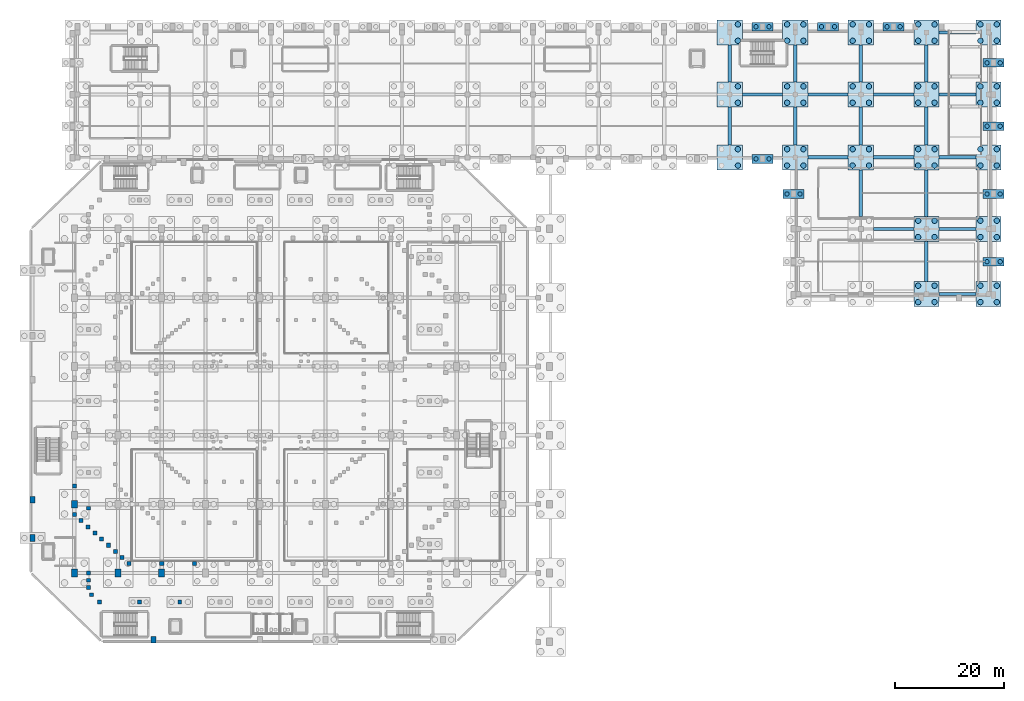
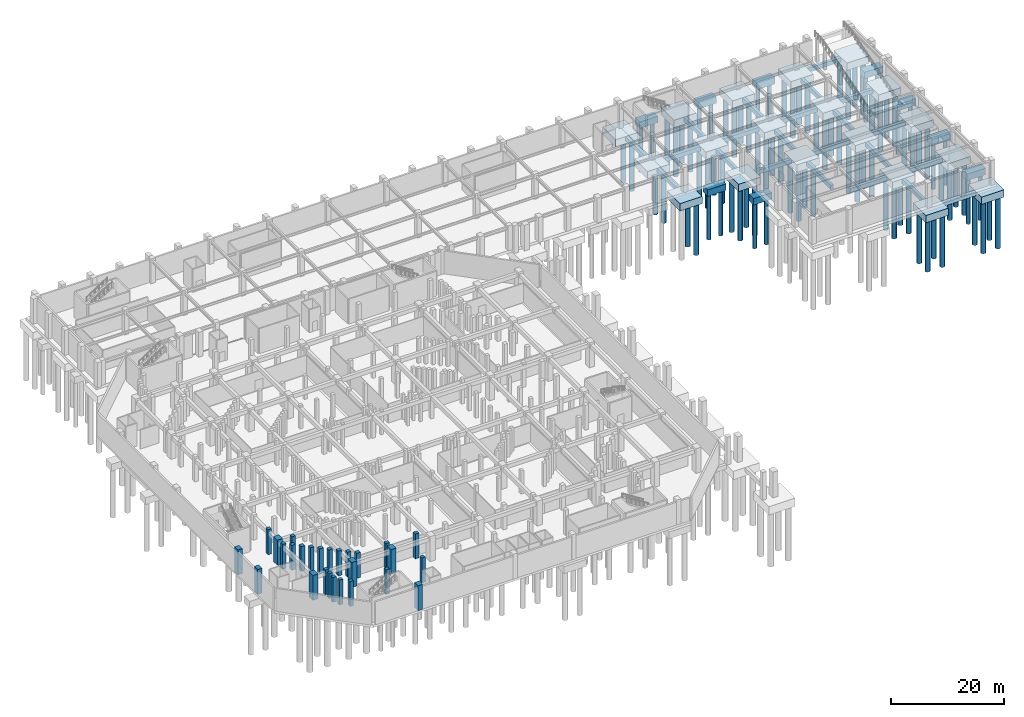
# One storey, part 5 of 27: 88 piles, 50 footings, 27 columns.
"""IFC4 building model written with IfcOpenShell, lengths in metres."""

from ifc_helpers import new_model, si_unit, derived_unit, direction, frame, origin, origin_2d, place, context, subcontext, project, spatial, rectangle, circle, extrude, material, layer, layer_set, material_profile, profile_set, type_object, element, save


model = new_model("IFC4")

# Units and contexts
model_context = context("Model", 3, precision=1e-05, world=origin(), true_north=direction((0.0, 1.0)))
body_context = subcontext(model_context, "Body", "Model", "MODEL_VIEW")
ifc_project = project(units=[si_unit("LENGTHUNIT", "METRE"), si_unit("AREAUNIT", "SQUARE_METRE"), si_unit("VOLUMEUNIT", "CUBIC_METRE"), si_unit("PLANEANGLEUNIT", "RADIAN"), si_unit("MASSUNIT", "GRAM", prefix="KILO"), derived_unit("THERMALTRANSMITTANCEUNIT", [(si_unit("MASSUNIT", "GRAM", prefix="KILO"), 1), (si_unit("TIMEUNIT", "SECOND"), -3), (si_unit("THERMODYNAMICTEMPERATUREUNIT", "KELVIN"), -1)])], contexts=[model_context])

# Site, building, storey
site_placement = place(None, origin())
site = spatial("IfcSite", under=ifc_project, at=site_placement, CompositionType="ELEMENT")
building_placement = place(site_placement, origin())
building = spatial("IfcBuilding", under=site, at=building_placement, Name="Valcora Ridge Arena", CompositionType="ELEMENT")
storey_placement = place(building_placement, frame((0.0, 0.0, -5.39990234375)))
storey = spatial("IfcBuildingStorey", under=building, at=storey_placement, Name="B1", CompositionType="ELEMENT", Elevation=-5.39990234375)

# Footings
ifc_material_1 = material(Name="Concrete C40/50", Category="concrete")
ifc_layer_1 = layer(ifc_material_1, 1.39990234375, Name="Concrete C40/50")
ifc_layer_set_1 = layer_set([ifc_layer_1], Name="Concrete C40/50")
footing_type_1 = type_object("IfcFootingType", Name="TY-FOOTING-PC-2P800", PredefinedType="PILE_CAP", material=ifc_layer_set_1)
for number, where, z_axis, x_axis, name in (
    (1, (150.0, 132.6201171875, -2.0), (0.0, 0.0, 1.0), (1.0, 0.0, 0.0), "PC-2P800 FND-PC-0227"),
    (2, (162.0, 132.6201171875, -2.0), (0.0, 0.0, 1.0), (1.0, 0.0, 0.0), "PC-2P800 FND-PC-0228"),
    (3, (174.0, 132.6201171875, -2.0), (0.0, 0.0, 1.0), (1.0, 0.0, 0.0), "PC-2P800 FND-PC-0229"),
    (4, (192.320068359375, 89.60009765625, -2.0), (0.0, 0.0, 1.0), (1.0, 0.0, 0.0), "PC-2P800 FND-PC-0230"),
    (5, (192.320068359375, 102.0, -2.0), (0.0, 0.0, 1.0), (1.0, 0.0, 0.0), "PC-2P800 FND-PC-0231"),
    (6, (192.320068359375, 114.39990234375, -2.0), (0.0, 0.0, 1.0), (1.0, 0.0, 0.0), "PC-2P800 FND-PC-0232"),
    (7, (192.320068359375, 126.0, -2.0), (0.0, 0.0, 1.0), (1.0, 0.0, 0.0), "PC-2P800 FND-PC-0233"),
    (8, (155.679931640625, 102.0, -2.0), (0.0, 0.0, 1.0), (1.0, 0.0, 0.0), "PC-2P800 FND-PC-0237"),
    (9, (150.0, 108.419921875, -2.0), (0.0, 0.0, 1.0), (1.0, 0.0, 0.0), "PC-2P800 FND-PC-0242"),
):
    element("IfcFooting", number, at=place(storey_placement, frame(where, z_axis=z_axis, x_axis=x_axis)), inside=storey, type_object=footing_type_1, Name=name, PredefinedType="PILE_CAP", context=body_context, shape_type="SweptSolid", body=[
        extrude(rectangle(XDim=3.800048828125, YDim=1.60009765625, at=origin_2d()), origin(), (0.0, 0.0, 1.0), 1.39990234375),
    ])
ifc_layer_2 = layer(ifc_material_1, 1.60009765625, Name="Concrete C40/50")
ifc_layer_set_2 = layer_set([ifc_layer_2], Name="Concrete C40/50")
footing_type_2 = type_object("IfcFootingType", Name="TY-FOOTING-PC-4P1000", PredefinedType="PILE_CAP", material=ifc_layer_set_2)
for number, where, z_axis, x_axis, name in (
    (10, (144.0, 108.699951171875, -2.2001953125), (0.0, 0.0, 1.0), (1.0, 0.0, 0.0), "PC-4P1000 FND-PC-0092"),
    (11, (144.0, 120.199951171875, -2.2001953125), (0.0, 0.0, 1.0), (1.0, 0.0, 0.0), "PC-4P1000 FND-PC-0093"),
    (12, (144.0, 131.550048828125, -2.2001953125), (0.0, 0.0, 1.0), (1.0, 0.0, 0.0), "PC-4P1000 FND-PC-0094"),
    (13, (156.0, 108.699951171875, -2.2001953125), (0.0, 0.0, 1.0), (1.0, 0.0, 0.0), "PC-4P1000 FND-PC-0095"),
    (14, (156.0, 120.199951171875, -2.2001953125), (0.0, 0.0, 1.0), (1.0, 0.0, 0.0), "PC-4P1000 FND-PC-0096"),
    (15, (156.0, 131.550048828125, -2.2001953125), (0.0, 0.0, 1.0), (1.0, 0.0, 0.0), "PC-4P1000 FND-PC-0097"),
    (16, (168.0, 108.699951171875, -2.2001953125), (0.0, 0.0, 1.0), (1.0, 0.0, 0.0), "PC-4P1000 FND-PC-0098"),
    (17, (168.0, 120.199951171875, -2.2001953125), (0.0, 0.0, 1.0), (1.0, 0.0, 0.0), "PC-4P1000 FND-PC-0099"),
    (18, (168.0, 131.550048828125, -2.2001953125), (0.0, 0.0, 1.0), (1.0, 0.0, 0.0), "PC-4P1000 FND-PC-0100"),
    (19, (180.0, 108.699951171875, -2.2001953125), (0.0, 0.0, 1.0), (1.0, 0.0, 0.0), "PC-4P1000 FND-PC-0101"),
    (20, (180.0, 120.199951171875, -2.2001953125), (0.0, 0.0, 1.0), (1.0, 0.0, 0.0), "PC-4P1000 FND-PC-0102"),
    (21, (180.0, 131.550048828125, -2.2001953125), (0.0, 0.0, 1.0), (1.0, 0.0, 0.0), "PC-4P1000 FND-PC-0103"),
    (22, (191.39990234375, 108.699951171875, -2.2001953125), (0.0, 0.0, 1.0), (1.0, 0.0, 0.0), "PC-4P1000 FND-PC-0104"),
    (23, (191.39990234375, 120.199951171875, -2.2001953125), (0.0, 0.0, 1.0), (1.0, 0.0, 0.0), "PC-4P1000 FND-PC-0105"),
    (24, (191.39990234375, 131.550048828125, -2.2001953125), (0.0, 0.0, 1.0), (1.0, 0.0, 0.0), "PC-4P1000 FND-PC-0106"),
    (25, (180.0, 83.699951171875, -2.2001953125), (0.0, 0.0, 1.0), (1.0, 0.0, 0.0), "PC-4P1000 FND-PC-0111"),
    (26, (180.0, 95.60009765625, -2.2001953125), (0.0, 0.0, 1.0), (1.0, 0.0, 0.0), "PC-4P1000 FND-PC-0112"),
    (27, (191.39990234375, 83.699951171875, -2.2001953125), (0.0, 0.0, 1.0), (1.0, 0.0, 0.0), "PC-4P1000 FND-PC-0113"),
    (28, (191.39990234375, 95.60009765625, -2.2001953125), (0.0, 0.0, 1.0), (1.0, 0.0, 0.0), "PC-4P1000 FND-PC-0114"),
):
    element("IfcFooting", number, at=place(storey_placement, frame(where, z_axis=z_axis, x_axis=x_axis)), inside=storey, type_object=footing_type_2, Name=name, PredefinedType="PILE_CAP", context=body_context, shape_type="SweptSolid", body=[
        extrude(rectangle(XDim=4.60009765625, YDim=4.60009765625, at=origin_2d()), origin(), (0.0, 0.0, 1.0), 1.60009765625),
    ])
ifc_layer_3 = layer(ifc_material_1, 0.89990234375, Name="Concrete C40/50")
ifc_layer_set_3 = layer_set([ifc_layer_3], Name="Concrete C40/50")
footing_type_3 = type_object("IfcFootingType", Name="TY-FOOTING-TBX-068", PredefinedType="FOOTING_BEAM", material=ifc_layer_set_3)
for number, where, z_axis, x_axis, name in (
    (29, (185.699951171875, 95.60009765625, -1.5), (0.0, 0.0, 1.0), (1.0, 0.0, 0.0), "TBX-068 FND-TB-0057"),
    (30, (185.699951171875, 108.699951171875, -1.5), (0.0, 0.0, 1.0), (1.0, 0.0, 0.0), "TBX-068 FND-TB-0065"),
    (31, (185.699951171875, 120.199951171875, -1.5), (0.0, 0.0, 1.0), (1.0, 0.0, 0.0), "TBX-068 FND-TB-0079"),
    (32, (185.699951171875, 131.550048828125, -1.5), (0.0, 0.0, 1.0), (1.0, 0.0, 0.0), "TBX-068 FND-TB-0081"),
    (33, (185.699951171875, 83.699951171875, -1.5), (0.0, 0.0, 1.0), (1.0, 0.0, 0.0), "TBX-068 FND-TB-0084"),
):
    element("IfcFooting", number, at=place(storey_placement, frame(where, z_axis=z_axis, x_axis=x_axis)), inside=storey, type_object=footing_type_3, Name=name, PredefinedType="FOOTING_BEAM", context=body_context, shape_type="SweptSolid", body=[
        extrude(rectangle(XDim=6.798095703125, YDim=0.60009765625, at=origin_2d()), origin(), (0.0, 0.0, 1.0), 0.89990234375),
    ])
ifc_layer_4 = layer(ifc_material_1, 0.89990234375, Name="Concrete C40/50")
ifc_layer_set_4 = layer_set([ifc_layer_4], Name="Concrete C40/50")
footing_type_4 = type_object("IfcFootingType", Name="TY-FOOTING-TBX-074", PredefinedType="FOOTING_BEAM", material=ifc_layer_set_4)
for number, where, z_axis, x_axis, name in (
    (34, (174.0, 95.60009765625, -1.5), (0.0, 0.0, 1.0), (1.0, 0.0, 0.0), "TBX-074 FND-TB-0056"),
    (35, (162.0, 108.699951171875, -1.5), (0.0, 0.0, 1.0), (1.0, 0.0, 0.0), "TBX-074 FND-TB-0063"),
    (36, (174.0, 108.699951171875, -1.5), (0.0, 0.0, 1.0), (1.0, 0.0, 0.0), "TBX-074 FND-TB-0064"),
    (37, (150.0, 120.199951171875, -1.5), (0.0, 0.0, 1.0), (1.0, 0.0, 0.0), "TBX-074 FND-TB-0076"),
    (38, (162.0, 120.199951171875, -1.5), (0.0, 0.0, 1.0), (1.0, 0.0, 0.0), "TBX-074 FND-TB-0077"),
    (39, (174.0, 120.199951171875, -1.5), (0.0, 0.0, 1.0), (1.0, 0.0, 0.0), "TBX-074 FND-TB-0078"),
):
    element("IfcFooting", number, at=place(storey_placement, frame(where, z_axis=z_axis, x_axis=x_axis)), inside=storey, type_object=footing_type_4, Name=name, PredefinedType="FOOTING_BEAM", context=body_context, shape_type="SweptSolid", body=[
        extrude(rectangle(XDim=7.39794921875, YDim=0.60009765625, at=origin_2d()), origin(), (0.0, 0.0, 1.0), 0.89990234375),
    ])
ifc_layer_5 = layer(ifc_material_1, 0.89990234375, Name="Concrete C40/50")
ifc_layer_set_5 = layer_set([ifc_layer_5], Name="Concrete C40/50")
footing_type_5 = type_object("IfcFootingType", Name="TY-FOOTING-TBY-067", PredefinedType="FOOTING_BEAM", material=ifc_layer_set_5)
for number, where, z_axis, x_axis, name in (
    (40, (144.0, 125.875, -1.5), (0.0, 0.0, 1.0), (1.0, 0.0, 0.0), "TBY-067 FND-TB-0156"),
    (41, (156.0, 125.875, -1.5), (0.0, 0.0, 1.0), (1.0, 0.0, 0.0), "TBY-067 FND-TB-0158"),
    (42, (168.0, 125.875, -1.5), (0.0, 0.0, 1.0), (1.0, 0.0, 0.0), "TBY-067 FND-TB-0162"),
    (43, (180.0, 125.875, -1.5), (0.0, 0.0, 1.0), (1.0, 0.0, 0.0), "TBY-067 FND-TB-0166"),
):
    element("IfcFooting", number, at=place(storey_placement, frame(where, z_axis=z_axis, x_axis=x_axis)), inside=storey, type_object=footing_type_5, Name=name, PredefinedType="FOOTING_BEAM", context=body_context, shape_type="SweptSolid", body=[
        extrude(rectangle(XDim=0.60009765625, YDim=6.748046875, at=origin_2d()), origin(), (0.0, 0.0, 1.0), 0.89990234375),
    ])
ifc_layer_6 = layer(ifc_material_1, 0.89990234375, Name="Concrete C40/50")
ifc_layer_set_6 = layer_set([ifc_layer_6], Name="Concrete C40/50")
footing_type_6 = type_object("IfcFootingType", Name="TY-FOOTING-TBY-069", PredefinedType="FOOTING_BEAM", material=ifc_layer_set_6)
for number, where, z_axis, x_axis, name in (
    (44, (144.0, 114.449951171875, -1.5), (0.0, 0.0, 1.0), (1.0, 0.0, 0.0), "TBY-069 FND-TB-0155"),
    (45, (156.0, 114.449951171875, -1.5), (0.0, 0.0, 1.0), (1.0, 0.0, 0.0), "TBY-069 FND-TB-0157"),
    (46, (168.0, 114.449951171875, -1.5), (0.0, 0.0, 1.0), (1.0, 0.0, 0.0), "TBY-069 FND-TB-0161"),
    (47, (180.0, 114.449951171875, -1.5), (0.0, 0.0, 1.0), (1.0, 0.0, 0.0), "TBY-069 FND-TB-0165"),
):
    element("IfcFooting", number, at=place(storey_placement, frame(where, z_axis=z_axis, x_axis=x_axis)), inside=storey, type_object=footing_type_6, Name=name, PredefinedType="FOOTING_BEAM", context=body_context, shape_type="SweptSolid", body=[
        extrude(rectangle(XDim=0.60009765625, YDim=6.89794921875, at=origin_2d()), origin(), (0.0, 0.0, 1.0), 0.89990234375),
    ])
ifc_layer_7 = layer(ifc_material_1, 0.89990234375, Name="Concrete C40/50")
ifc_layer_set_7 = layer_set([ifc_layer_7], Name="Concrete C40/50")
footing_type_7 = type_object("IfcFootingType", Name="TY-FOOTING-TBY-073", PredefinedType="FOOTING_BEAM", material=ifc_layer_set_7)
footing_placement = place(storey_placement, frame((180.0, 89.64990234375, -1.5), z_axis=(0.0, 0.0, 1.0), x_axis=(1.0, 0.0, 0.0)))
element("IfcFooting", 48, at=footing_placement, inside=storey, type_object=footing_type_7, Name="TBY-073 FND-TB-0163", PredefinedType="FOOTING_BEAM", context=body_context, shape_type="SweptSolid", body=[
    extrude(rectangle(XDim=0.60009765625, YDim=7.298095703125, at=origin_2d()), origin(), (0.0, 0.0, 1.0), 0.89990234375),
])
ifc_layer_8 = layer(ifc_material_1, 0.89990234375, Name="Concrete C40/50")
ifc_layer_set_8 = layer_set([ifc_layer_8], Name="Concrete C40/50")
footing_type_8 = type_object("IfcFootingType", Name="TY-FOOTING-TBY-085", PredefinedType="FOOTING_BEAM", material=ifc_layer_set_8)
for number, where, z_axis, x_axis, name in (
    (49, (168.0, 102.14990234375, -1.5), (0.0, 0.0, 1.0), (1.0, 0.0, 0.0), "TBY-085 FND-TB-0160"),
    (50, (180.0, 102.14990234375, -1.5), (0.0, 0.0, 1.0), (1.0, 0.0, 0.0), "TBY-085 FND-TB-0164"),
):
    element("IfcFooting", number, at=place(storey_placement, frame(where, z_axis=z_axis, x_axis=x_axis)), inside=storey, type_object=footing_type_8, Name=name, PredefinedType="FOOTING_BEAM", context=body_context, shape_type="SweptSolid", body=[
        extrude(rectangle(XDim=0.60009765625, YDim=8.498046875, at=origin_2d()), origin(), (0.0, 0.0, 1.0), 0.89990234375),
    ])

# Piles
ifc_material_2 = material(Name="Concrete C35/45", Category="concrete")
ifc_material_profile_1 = material_profile(ifc_material_2, circle(Radius=0.5, at=origin_2d()), Name="BORED PILE D1000")
ifc_profile_set_1 = profile_set([ifc_material_profile_1], Name="Concrete C35/45")
pile_type_1 = type_object("IfcPileType", Name="TY-PILE-P-1000A", PredefinedType="BORED", material=ifc_profile_set_1)
for number, where, z_axis, x_axis, name in (
    (51, (145.5, 107.199951171875, -2.10009765625), (0.0, 0.0, -1.0), (1.0, 0.0, 0.0), "P-1000A FND-PL-P-1000A-0182"),
    (52, (145.5, 110.199951171875, -2.10009765625), (0.0, 0.0, -1.0), (1.0, 0.0, 0.0), "P-1000A FND-PL-P-1000A-0184"),
    (53, (145.5, 118.699951171875, -2.10009765625), (0.0, 0.0, -1.0), (1.0, 0.0, 0.0), "P-1000A FND-PL-P-1000A-0186"),
    (54, (145.5, 121.699951171875, -2.10009765625), (0.0, 0.0, -1.0), (1.0, 0.0, 0.0), "P-1000A FND-PL-P-1000A-0188"),
    (55, (145.5, 130.050048828125, -2.10009765625), (0.0, 0.0, -1.0), (1.0, 0.0, 0.0), "P-1000A FND-PL-P-1000A-0190"),
    (56, (145.5, 133.050048828125, -2.10009765625), (0.0, 0.0, -1.0), (1.0, 0.0, 0.0), "P-1000A FND-PL-P-1000A-0192"),
    (57, (154.5, 107.199951171875, -2.10009765625), (0.0, 0.0, -1.0), (1.0, 0.0, 0.0), "P-1000A FND-PL-P-1000A-0193"),
    (58, (157.5, 107.199951171875, -2.10009765625), (0.0, 0.0, -1.0), (1.0, 0.0, 0.0), "P-1000A FND-PL-P-1000A-0194"),
    (59, (154.5, 110.199951171875, -2.10009765625), (0.0, 0.0, -1.0), (1.0, 0.0, 0.0), "P-1000A FND-PL-P-1000A-0195"),
    (60, (157.5, 110.199951171875, -2.10009765625), (0.0, 0.0, -1.0), (1.0, 0.0, 0.0), "P-1000A FND-PL-P-1000A-0196"),
    (61, (154.5, 118.699951171875, -2.10009765625), (0.0, 0.0, -1.0), (1.0, 0.0, 0.0), "P-1000A FND-PL-P-1000A-0197"),
    (62, (157.5, 118.699951171875, -2.10009765625), (0.0, 0.0, -1.0), (1.0, 0.0, 0.0), "P-1000A FND-PL-P-1000A-0198"),
    (63, (154.5, 121.699951171875, -2.10009765625), (0.0, 0.0, -1.0), (1.0, 0.0, 0.0), "P-1000A FND-PL-P-1000A-0199"),
    (64, (157.5, 121.699951171875, -2.10009765625), (0.0, 0.0, -1.0), (1.0, 0.0, 0.0), "P-1000A FND-PL-P-1000A-0200"),
    (65, (154.5, 130.050048828125, -2.10009765625), (0.0, 0.0, -1.0), (1.0, 0.0, 0.0), "P-1000A FND-PL-P-1000A-0201"),
    (66, (157.5, 130.050048828125, -2.10009765625), (0.0, 0.0, -1.0), (1.0, 0.0, 0.0), "P-1000A FND-PL-P-1000A-0202"),
    (67, (154.5, 133.050048828125, -2.10009765625), (0.0, 0.0, -1.0), (1.0, 0.0, 0.0), "P-1000A FND-PL-P-1000A-0203"),
    (68, (157.5, 133.050048828125, -2.10009765625), (0.0, 0.0, -1.0), (1.0, 0.0, 0.0), "P-1000A FND-PL-P-1000A-0204"),
    (69, (166.5, 107.199951171875, -2.10009765625), (0.0, 0.0, -1.0), (1.0, 0.0, 0.0), "P-1000A FND-PL-P-1000A-0205"),
    (70, (169.5, 107.199951171875, -2.10009765625), (0.0, 0.0, -1.0), (1.0, 0.0, 0.0), "P-1000A FND-PL-P-1000A-0206"),
    (71, (166.5, 110.199951171875, -2.10009765625), (0.0, 0.0, -1.0), (1.0, 0.0, 0.0), "P-1000A FND-PL-P-1000A-0207"),
    (72, (169.5, 110.199951171875, -2.10009765625), (0.0, 0.0, -1.0), (1.0, 0.0, 0.0), "P-1000A FND-PL-P-1000A-0208"),
    (73, (166.5, 118.699951171875, -2.10009765625), (0.0, 0.0, -1.0), (1.0, 0.0, 0.0), "P-1000A FND-PL-P-1000A-0209"),
    (74, (169.5, 118.699951171875, -2.10009765625), (0.0, 0.0, -1.0), (1.0, 0.0, 0.0), "P-1000A FND-PL-P-1000A-0210"),
    (75, (166.5, 121.699951171875, -2.10009765625), (0.0, 0.0, -1.0), (1.0, 0.0, 0.0), "P-1000A FND-PL-P-1000A-0211"),
    (76, (169.5, 121.699951171875, -2.10009765625), (0.0, 0.0, -1.0), (1.0, 0.0, 0.0), "P-1000A FND-PL-P-1000A-0212"),
    (77, (166.5, 130.050048828125, -2.10009765625), (0.0, 0.0, -1.0), (1.0, 0.0, 0.0), "P-1000A FND-PL-P-1000A-0213"),
    (78, (169.5, 130.050048828125, -2.10009765625), (0.0, 0.0, -1.0), (1.0, 0.0, 0.0), "P-1000A FND-PL-P-1000A-0214"),
    (79, (166.5, 133.050048828125, -2.10009765625), (0.0, 0.0, -1.0), (1.0, 0.0, 0.0), "P-1000A FND-PL-P-1000A-0215"),
    (80, (169.5, 133.050048828125, -2.10009765625), (0.0, 0.0, -1.0), (1.0, 0.0, 0.0), "P-1000A FND-PL-P-1000A-0216"),
    (81, (178.5, 107.199951171875, -2.10009765625), (0.0, 0.0, -1.0), (1.0, 0.0, 0.0), "P-1000A FND-PL-P-1000A-0217"),
    (82, (181.5, 107.199951171875, -2.10009765625), (0.0, 0.0, -1.0), (1.0, 0.0, 0.0), "P-1000A FND-PL-P-1000A-0218"),
    (83, (178.5, 110.199951171875, -2.10009765625), (0.0, 0.0, -1.0), (1.0, 0.0, 0.0), "P-1000A FND-PL-P-1000A-0219"),
    (84, (181.5, 110.199951171875, -2.10009765625), (0.0, 0.0, -1.0), (1.0, 0.0, 0.0), "P-1000A FND-PL-P-1000A-0220"),
    (85, (178.5, 118.699951171875, -2.10009765625), (0.0, 0.0, -1.0), (1.0, 0.0, 0.0), "P-1000A FND-PL-P-1000A-0221"),
    (86, (181.5, 118.699951171875, -2.10009765625), (0.0, 0.0, -1.0), (1.0, 0.0, 0.0), "P-1000A FND-PL-P-1000A-0222"),
    (87, (178.5, 121.699951171875, -2.10009765625), (0.0, 0.0, -1.0), (1.0, 0.0, 0.0), "P-1000A FND-PL-P-1000A-0223"),
    (88, (181.5, 121.699951171875, -2.10009765625), (0.0, 0.0, -1.0), (1.0, 0.0, 0.0), "P-1000A FND-PL-P-1000A-0224"),
    (89, (178.5, 130.050048828125, -2.10009765625), (0.0, 0.0, -1.0), (1.0, 0.0, 0.0), "P-1000A FND-PL-P-1000A-0225"),
    (90, (181.5, 130.050048828125, -2.10009765625), (0.0, 0.0, -1.0), (1.0, 0.0, 0.0), "P-1000A FND-PL-P-1000A-0226"),
    (91, (178.5, 133.050048828125, -2.10009765625), (0.0, 0.0, -1.0), (1.0, 0.0, 0.0), "P-1000A FND-PL-P-1000A-0227"),
    (92, (181.5, 133.050048828125, -2.10009765625), (0.0, 0.0, -1.0), (1.0, 0.0, 0.0), "P-1000A FND-PL-P-1000A-0228"),
    (93, (189.89990234375, 107.199951171875, -2.10009765625), (0.0, 0.0, -1.0), (1.0, 0.0, 0.0), "P-1000A FND-PL-P-1000A-0229"),
    (94, (192.89990234375, 107.199951171875, -2.10009765625), (0.0, 0.0, -1.0), (1.0, 0.0, 0.0), "P-1000A FND-PL-P-1000A-0230"),
    (95, (189.89990234375, 110.199951171875, -2.10009765625), (0.0, 0.0, -1.0), (1.0, 0.0, 0.0), "P-1000A FND-PL-P-1000A-0231"),
    (96, (192.89990234375, 110.199951171875, -2.10009765625), (0.0, 0.0, -1.0), (1.0, 0.0, 0.0), "P-1000A FND-PL-P-1000A-0232"),
    (97, (189.89990234375, 118.699951171875, -2.10009765625), (0.0, 0.0, -1.0), (1.0, 0.0, 0.0), "P-1000A FND-PL-P-1000A-0233"),
    (98, (192.89990234375, 118.699951171875, -2.10009765625), (0.0, 0.0, -1.0), (1.0, 0.0, 0.0), "P-1000A FND-PL-P-1000A-0234"),
    (99, (189.89990234375, 121.699951171875, -2.10009765625), (0.0, 0.0, -1.0), (1.0, 0.0, 0.0), "P-1000A FND-PL-P-1000A-0235"),
    (100, (192.89990234375, 121.699951171875, -2.10009765625), (0.0, 0.0, -1.0), (1.0, 0.0, 0.0), "P-1000A FND-PL-P-1000A-0236"),
    (101, (189.89990234375, 130.050048828125, -2.10009765625), (0.0, 0.0, -1.0), (1.0, 0.0, 0.0), "P-1000A FND-PL-P-1000A-0237"),
    (102, (192.89990234375, 130.050048828125, -2.10009765625), (0.0, 0.0, -1.0), (1.0, 0.0, 0.0), "P-1000A FND-PL-P-1000A-0238"),
    (103, (189.89990234375, 133.050048828125, -2.10009765625), (0.0, 0.0, -1.0), (1.0, 0.0, 0.0), "P-1000A FND-PL-P-1000A-0239"),
    (104, (192.89990234375, 133.050048828125, -2.10009765625), (0.0, 0.0, -1.0), (1.0, 0.0, 0.0), "P-1000A FND-PL-P-1000A-0240"),
    (105, (178.5, 82.199951171875, -2.10009765625), (0.0, 0.0, -1.0), (1.0, 0.0, 0.0), "P-1000A FND-PL-P-1000A-0257"),
    (106, (181.5, 82.199951171875, -2.10009765625), (0.0, 0.0, -1.0), (1.0, 0.0, 0.0), "P-1000A FND-PL-P-1000A-0258"),
    (107, (178.5, 85.199951171875, -2.10009765625), (0.0, 0.0, -1.0), (1.0, 0.0, 0.0), "P-1000A FND-PL-P-1000A-0259"),
    (108, (181.5, 85.199951171875, -2.10009765625), (0.0, 0.0, -1.0), (1.0, 0.0, 0.0), "P-1000A FND-PL-P-1000A-0260"),
    (109, (178.5, 94.10009765625, -2.10009765625), (0.0, 0.0, -1.0), (1.0, 0.0, 0.0), "P-1000A FND-PL-P-1000A-0261"),
    (110, (181.5, 94.10009765625, -2.10009765625), (0.0, 0.0, -1.0), (1.0, 0.0, 0.0), "P-1000A FND-PL-P-1000A-0262"),
    (111, (178.5, 97.10009765625, -2.10009765625), (0.0, 0.0, -1.0), (1.0, 0.0, 0.0), "P-1000A FND-PL-P-1000A-0263"),
    (112, (181.5, 97.10009765625, -2.10009765625), (0.0, 0.0, -1.0), (1.0, 0.0, 0.0), "P-1000A FND-PL-P-1000A-0264"),
    (113, (189.89990234375, 82.199951171875, -2.10009765625), (0.0, 0.0, -1.0), (1.0, 0.0, 0.0), "P-1000A FND-PL-P-1000A-0265"),
    (114, (192.89990234375, 82.199951171875, -2.10009765625), (0.0, 0.0, -1.0), (1.0, 0.0, 0.0), "P-1000A FND-PL-P-1000A-0266"),
    (115, (189.89990234375, 85.199951171875, -2.10009765625), (0.0, 0.0, -1.0), (1.0, 0.0, 0.0), "P-1000A FND-PL-P-1000A-0267"),
    (116, (192.89990234375, 85.199951171875, -2.10009765625), (0.0, 0.0, -1.0), (1.0, 0.0, 0.0), "P-1000A FND-PL-P-1000A-0268"),
    (117, (189.89990234375, 94.10009765625, -2.10009765625), (0.0, 0.0, -1.0), (1.0, 0.0, 0.0), "P-1000A FND-PL-P-1000A-0269"),
    (118, (192.89990234375, 94.10009765625, -2.10009765625), (0.0, 0.0, -1.0), (1.0, 0.0, 0.0), "P-1000A FND-PL-P-1000A-0270"),
    (119, (189.89990234375, 97.10009765625, -2.10009765625), (0.0, 0.0, -1.0), (1.0, 0.0, 0.0), "P-1000A FND-PL-P-1000A-0271"),
    (120, (192.89990234375, 97.10009765625, -2.10009765625), (0.0, 0.0, -1.0), (1.0, 0.0, 0.0), "P-1000A FND-PL-P-1000A-0272"),
):
    element("IfcPile", number, at=place(storey_placement, frame(where, z_axis=z_axis, x_axis=x_axis)), inside=storey, type_object=pile_type_1, Name=name, PredefinedType="BORED", context=body_context, shape_type="SweptSolid", body=[
        extrude(circle(Radius=0.5, at=origin_2d()), origin(), (0.0, 0.0, 1.0), 11.199951171875),
    ])
ifc_material_profile_2 = material_profile(ifc_material_2, circle(Radius=0.39990234375, at=origin_2d()), Name="BORED PILE D800")
ifc_profile_set_2 = profile_set([ifc_material_profile_2], Name="Concrete C35/45")
pile_type_2 = type_object("IfcPileType", Name="TY-PILE-P-800B", PredefinedType="BORED", material=ifc_profile_set_2)
for number, where, z_axis, x_axis, name in (
    (121, (148.800048828125, 132.6201171875, -1.900146484375), (0.0, 0.0, -1.0), (1.0, 0.0, 0.0), "P-800B FND-PL-P-800B-0061"),
    (122, (151.199951171875, 132.6201171875, -1.900146484375), (0.0, 0.0, -1.0), (1.0, 0.0, 0.0), "P-800B FND-PL-P-800B-0062"),
    (123, (160.800048828125, 132.6201171875, -1.900146484375), (0.0, 0.0, -1.0), (1.0, 0.0, 0.0), "P-800B FND-PL-P-800B-0063"),
    (124, (163.199951171875, 132.6201171875, -1.900146484375), (0.0, 0.0, -1.0), (1.0, 0.0, 0.0), "P-800B FND-PL-P-800B-0064"),
    (125, (172.800048828125, 132.6201171875, -1.900146484375), (0.0, 0.0, -1.0), (1.0, 0.0, 0.0), "P-800B FND-PL-P-800B-0065"),
    (126, (175.199951171875, 132.6201171875, -1.900146484375), (0.0, 0.0, -1.0), (1.0, 0.0, 0.0), "P-800B FND-PL-P-800B-0066"),
    (127, (191.1201171875, 89.60009765625, -1.900146484375), (0.0, 0.0, -1.0), (1.0, 0.0, 0.0), "P-800B FND-PL-P-800B-0067"),
    (128, (193.52001953125, 89.60009765625, -1.900146484375), (0.0, 0.0, -1.0), (1.0, 0.0, 0.0), "P-800B FND-PL-P-800B-0068"),
    (129, (191.1201171875, 102.0, -1.900146484375), (0.0, 0.0, -1.0), (1.0, 0.0, 0.0), "P-800B FND-PL-P-800B-0069"),
    (130, (193.52001953125, 102.0, -1.900146484375), (0.0, 0.0, -1.0), (1.0, 0.0, 0.0), "P-800B FND-PL-P-800B-0070"),
    (131, (191.1201171875, 114.39990234375, -1.900146484375), (0.0, 0.0, -1.0), (1.0, 0.0, 0.0), "P-800B FND-PL-P-800B-0071"),
    (132, (193.52001953125, 114.39990234375, -1.900146484375), (0.0, 0.0, -1.0), (1.0, 0.0, 0.0), "P-800B FND-PL-P-800B-0072"),
    (133, (191.1201171875, 126.0, -1.900146484375), (0.0, 0.0, -1.0), (1.0, 0.0, 0.0), "P-800B FND-PL-P-800B-0073"),
    (134, (193.52001953125, 126.0, -1.900146484375), (0.0, 0.0, -1.0), (1.0, 0.0, 0.0), "P-800B FND-PL-P-800B-0074"),
    (135, (154.47998046875, 102.0, -1.900146484375), (0.0, 0.0, -1.0), (1.0, 0.0, 0.0), "P-800B FND-PL-P-800B-0081"),
    (136, (156.8798828125, 102.0, -1.900146484375), (0.0, 0.0, -1.0), (1.0, 0.0, 0.0), "P-800B FND-PL-P-800B-0082"),
    (137, (148.800048828125, 108.419921875, -1.900146484375), (0.0, 0.0, -1.0), (1.0, 0.0, 0.0), "P-800B FND-PL-P-800B-0091"),
    (138, (151.199951171875, 108.419921875, -1.900146484375), (0.0, 0.0, -1.0), (1.0, 0.0, 0.0), "P-800B FND-PL-P-800B-0092"),
):
    element("IfcPile", number, at=place(storey_placement, frame(where, z_axis=z_axis, x_axis=x_axis)), inside=storey, type_object=pile_type_2, Name=name, PredefinedType="BORED", context=body_context, shape_type="SweptSolid", body=[
        extrude(circle(Radius=0.39990234375, at=origin_2d()), origin(), (0.0, 0.0, 1.0), 10.0),
    ])

# Columns
ifc_material_3 = material(Name="Bush-hammered Andean travertine architectural concrete C45/55", Category="masonry")
ifc_material_profile_3 = material_profile(ifc_material_3, rectangle(XDim=0.89990234375, YDim=1.199951171875, at=origin_2d()), Name="RC 900x1200")
ifc_profile_set_3 = profile_set([ifc_material_profile_3], Name="Bush-hammered Andean travertine architectural concrete C45/55")
column_type_1 = type_object("IfcColumnType", Name="TY-COLUMN-C-BUTT-1200", PredefinedType="PILASTER", material=ifc_profile_set_3)
for number, where, z_axis, x_axis, name in (
    (139, (38.5, 20.39990234375, 0.0), (0.0, 0.0, 1.0), (1.0, 0.0, 0.0), "C-BUTT-1200 COL-C-BUTT-1200-0001"),
    (140, (16.35009765625, 39.0, 0.0), (0.0, 0.0, 1.0), (1.0, 0.0, 0.0), "C-BUTT-1200 COL-C-BUTT-1200-0033"),
    (141, (16.35009765625, 46.0, 0.0), (0.0, 0.0, 1.0), (1.0, 0.0, 0.0), "C-BUTT-1200 COL-C-BUTT-1200-0037"),
):
    element("IfcColumn", number, at=place(storey_placement, frame(where, z_axis=z_axis, x_axis=x_axis)), inside=storey, type_object=column_type_1, Name=name, PredefinedType="PILASTER", context=body_context, shape_type="SweptSolid", body=[
        extrude(rectangle(XDim=0.89990234375, YDim=1.199951171875, at=origin_2d()), origin(), (0.0, 0.0, 1.0), 5.39990234375),
    ])
ifc_material_profile_4 = material_profile(ifc_material_1, rectangle(XDim=1.10009765625, YDim=1.39990234375, at=origin_2d()), Name="RC 1100x1400")
ifc_profile_set_4 = profile_set([ifc_material_profile_4], Name="Concrete C40/50")
column_type_2 = type_object("IfcColumnType", Name="TY-COLUMN-C-RC1100", PredefinedType="COLUMN", material=ifc_profile_set_4)
for number, where, z_axis, x_axis, name in (
    (142, (24.0, 32.60009765625, 0.0), (0.0, 0.0, 1.0), (1.0, 0.0, 0.0), "C-RC1100 COL-C-RC1100-0001"),
    (143, (24.0, 45.199951171875, 0.0), (0.0, 0.0, 1.0), (1.0, 0.0, 0.0), "C-RC1100 COL-C-RC1100-0003"),
    (144, (32.0, 32.60009765625, 0.0), (0.0, 0.0, 1.0), (1.0, 0.0, 0.0), "C-RC1100 COL-C-RC1100-0013"),
    (145, (40.0, 32.60009765625, 0.0), (0.0, 0.0, 1.0), (1.0, 0.0, 0.0), "C-RC1100 COL-C-RC1100-0025"),
):
    element("IfcColumn", number, at=place(storey_placement, frame(where, z_axis=z_axis, x_axis=x_axis)), inside=storey, type_object=column_type_2, Name=name, PredefinedType="COLUMN", context=body_context, shape_type="SweptSolid", body=[
        extrude(rectangle(XDim=1.10009765625, YDim=1.39990234375, at=origin_2d()), origin(), (0.0, 0.0, 1.0), 5.39990234375),
    ])
ifc_material_profile_5 = material_profile(ifc_material_1, rectangle(XDim=0.75, YDim=0.75, at=origin_2d()), Name="RC 750x750")
ifc_profile_set_5 = profile_set([ifc_material_profile_5], Name="Concrete C40/50")
column_type_3 = type_object("IfcColumnType", Name="TY-COLUMN-C-RKR750", PredefinedType="COLUMN", material=ifc_profile_set_5)
for number, where, z_axis, x_axis, name in (
    (146, (34.0, 34.300048828125, 0.0), (0.0, 0.0, 1.0), (1.0, 0.0, 0.0), "C-RKR750 COL-RK-C-RKR750-0001"),
    (147, (40.0, 34.300048828125, 0.0), (0.0, 0.0, 1.0), (1.0, 0.0, 0.0), "C-RKR750 COL-RK-C-RKR750-0003"),
    (148, (46.0, 34.300048828125, 0.0), (0.0, 0.0, 1.0), (1.0, 0.0, 0.0), "C-RKR750 COL-RK-C-RKR750-0005"),
    (149, (24.0, 48.5, 0.0), (0.0, 0.0, 1.0), (1.0, 0.0, 0.0), "C-RKR750 COL-RK-C-RKR750-0103"),
    (150, (24.0, 43.300048828125, 0.0), (0.0, 0.0, 1.0), (1.0, 0.0, 0.0), "C-RKR750 COL-RK-C-RKR750-0105"),
    (151, (25.25, 42.175048828125, 0.0), (0.0, 0.0, 1.0), (1.0, 0.0, 0.0), "C-RKR750 COL-RK-C-RKR750-0107"),
    (152, (26.5, 41.050048828125, 0.0), (0.0, 0.0, 1.0), (1.0, 0.0, 0.0), "C-RKR750 COL-RK-C-RKR750-0109"),
    (153, (27.75, 39.925048828125, 0.0), (0.0, 0.0, 1.0), (1.0, 0.0, 0.0), "C-RKR750 COL-RK-C-RKR750-0111"),
    (154, (29.0, 38.800048828125, 0.0), (0.0, 0.0, 1.0), (1.0, 0.0, 0.0), "C-RKR750 COL-RK-C-RKR750-0113"),
    (155, (30.25, 37.675048828125, 0.0), (0.0, 0.0, 1.0), (1.0, 0.0, 0.0), "C-RKR750 COL-RK-C-RKR750-0115"),
    (156, (31.5, 36.550048828125, 0.0), (0.0, 0.0, 1.0), (1.0, 0.0, 0.0), "C-RKR750 COL-RK-C-RKR750-0117"),
    (157, (32.75, 35.425048828125, 0.0), (0.0, 0.0, 1.0), (1.0, 0.0, 0.0), "C-RKR750 COL-RK-C-RKR750-0119"),
):
    element("IfcColumn", number, at=place(storey_placement, frame(where, z_axis=z_axis, x_axis=x_axis)), inside=storey, type_object=column_type_3, Name=name, PredefinedType="COLUMN", context=body_context, shape_type="SweptSolid", body=[
        extrude(rectangle(XDim=0.75, YDim=0.75, at=origin_2d()), origin(), (0.0, 0.0, 1.0), 5.39990234375),
    ])
ifc_material_profile_6 = material_profile(ifc_material_1, rectangle(XDim=0.699951171875, YDim=0.699951171875, at=origin_2d()), Name="RC 700x700")
ifc_profile_set_6 = profile_set([ifc_material_profile_6], Name="Concrete C40/50")
column_type_4 = type_object("IfcColumnType", Name="TY-COLUMN-C-RKRU700B", PredefinedType="COLUMN", material=ifc_profile_set_6)
for number, where, z_axis, x_axis, name in (
    (158, (28.60009765625, 27.300048828125, 0.0), (0.0, 0.0, 1.0), (1.0, 0.0, 0.0), "C-RKRU700B COL-RK-C-RKRU700B-0001"),
    (159, (35.949951171875, 27.300048828125, 0.0), (0.0, 0.0, 1.0), (1.0, 0.0, 0.0), "C-RKRU700B COL-RK-C-RKRU700B-0006"),
    (160, (43.300048828125, 27.300048828125, 0.0), (0.0, 0.0, 1.0), (1.0, 0.0, 0.0), "C-RKRU700B COL-RK-C-RKRU700B-0011"),
    (161, (26.60009765625, 44.449951171875, 0.0), (0.0, 0.0, 1.0), (1.0, 0.0, 0.0), "C-RKRU700B COL-RK-C-RKRU700B-0241"),
    (162, (26.60009765625, 32.60009765625, 0.0), (0.0, 0.0, 1.0), (1.0, 0.0, 0.0), "C-RKRU700B COL-RK-C-RKRU700B-0246"),
    (163, (26.60009765625, 31.27490234375, 0.0), (0.0, 0.0, 1.0), (1.0, 0.0, 0.0), "C-RKRU700B COL-RK-C-RKRU700B-0251"),
    (164, (26.60009765625, 29.949951171875, 0.0), (0.0, 0.0, 1.0), (1.0, 0.0, 0.0), "C-RKRU700B COL-RK-C-RKRU700B-0256"),
    (165, (27.14990234375, 28.625, 0.0), (0.0, 0.0, 1.0), (1.0, 0.0, 0.0), "C-RKRU700B COL-RK-C-RKRU700B-0261"),
):
    element("IfcColumn", number, at=place(storey_placement, frame(where, z_axis=z_axis, x_axis=x_axis)), inside=storey, type_object=column_type_4, Name=name, PredefinedType="COLUMN", context=body_context, shape_type="SweptSolid", body=[
        extrude(rectangle(XDim=0.699951171875, YDim=0.699951171875, at=origin_2d()), origin(), (0.0, 0.0, 1.0), 5.39990234375),
    ])

save(model, "model.ifc")
